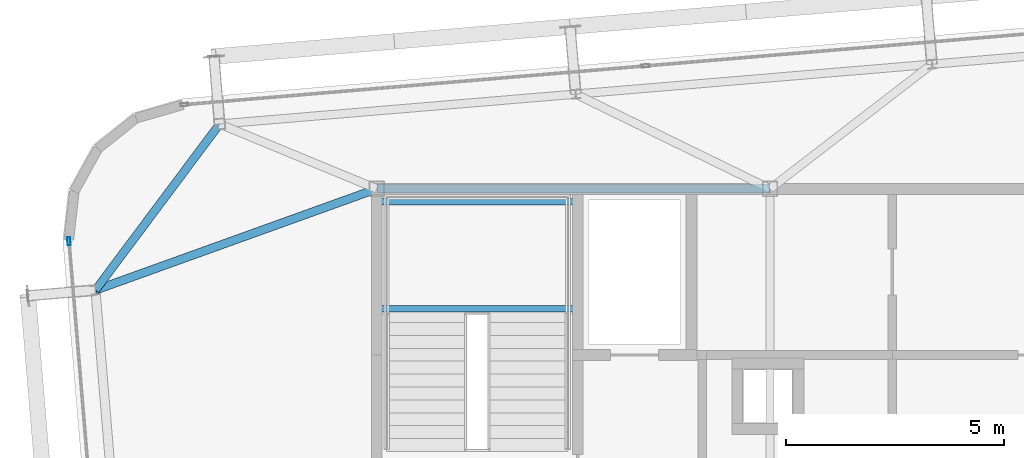
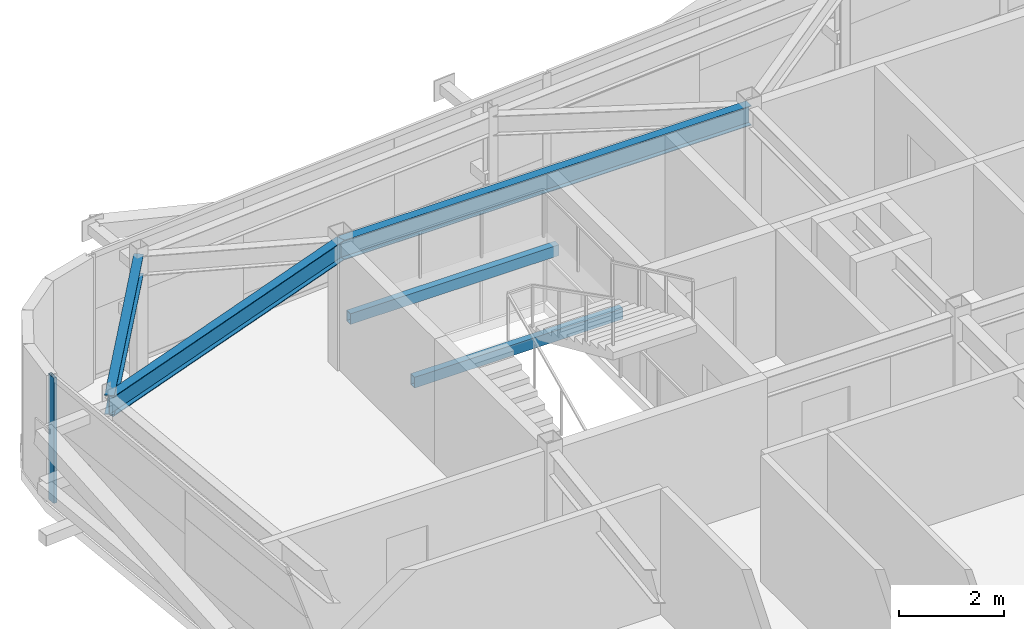
# One storey, part 14 of 37: 5 beams, 1 member, 1 element without a shape of its own.
"""IFC4 building model written with IfcOpenShell, lengths in metres."""

from ifc_helpers import new_model, si_unit, direction, frame, origin, origin_2d, place, context, subcontext, project, spatial, hollow_rectangle, i_section, extrude, source, transform, mapped, material, layer, layer_set, material_profile, profile_set, type_object, element, aggregate, save


model = new_model("IFC4")

# Units and contexts
model_context = context("Model", 3, precision=1e-05, world=origin(), true_north=direction((0.0, 1.0)))
body_context = subcontext(model_context, "Body", "Model", "MODEL_VIEW")
ifc_project = project(units=[si_unit("LENGTHUNIT", "METRE"), si_unit("AREAUNIT", "SQUARE_METRE"), si_unit("VOLUMEUNIT", "CUBIC_METRE"), si_unit("PLANEANGLEUNIT", "RADIAN"), si_unit("MASSUNIT", "GRAM", prefix="KILO")], contexts=[model_context])

# Site, building, storey
site_placement = place(None, origin())
site = spatial("IfcSite", under=ifc_project, at=site_placement, CompositionType="ELEMENT")
building_placement = place(site_placement, origin())
building = spatial("IfcBuilding", under=site, at=building_placement, Name="Taldren Reach Tower", CompositionType="ELEMENT")
storey_placement = place(building_placement, frame((0.0, 0.0, 200.89990234375)))
storey = spatial("IfcBuildingStorey", under=building, at=storey_placement, Name="L61", CompositionType="ELEMENT", Elevation=200.89990234375)

# Beams
ifc_material_1 = material(Name="Steel Gr 350 (350PLUS)", Category="steel")
ifc_material_profile_1 = material_profile(ifc_material_1, i_section(OverallWidth=0.19091796875, OverallDepth=0.4599609375, WebThickness=0.010009765625, FlangeThickness=0.01611328125, at=origin_2d()), Name="460UB82.1")
ifc_profile_set_1 = profile_set([ifc_material_profile_1], Name="Steel Gr 350 (350PLUS)")
beam_type_1 = type_object("IfcBeamType", Name="BM-UB460A", PredefinedType="BEAM", material=ifc_profile_set_1)
shared_shape_1 = source(origin(), body_context, "Body", "SweptSolid", [
    extrude(i_section(OverallWidth=0.19091796875, OverallDepth=0.4599609375, WebThickness=0.010009765625, FlangeThickness=0.01611328125, at=origin_2d()), origin(), (0.0, 0.0, 1.0), 9.0),
])
beam_1_placement = place(storey_placement, frame((19.0, 32.0, 2.7001953125), z_axis=(1.0, 0.0, 0.0), x_axis=(0.0, 1.0, 0.0)))
element("IfcBeam", 1, at=beam_1_placement, inside=storey, type_object=beam_type_1, Name="Core-spine girder L61-SP04", PredefinedType="BEAM", context=body_context, shape_type="MappedRepresentation", body=[
    mapped(shared_shape_1, transform((0.0, 0.0, 0.0), scale=1.0)),
])
ifc_material_profile_2 = material_profile(ifc_material_1, i_section(OverallWidth=0.18994140625, OverallDepth=0.4541015625, WebThickness=0.008544921875, FlangeThickness=0.0126953125, at=origin_2d()), Name="460UB67.1")
ifc_profile_set_2 = profile_set([ifc_material_profile_2], Name="Steel Gr 350 (350PLUS)")
beam_type_2 = type_object("IfcBeamType", Name="SP-UB460B", PredefinedType="SPANDREL", material=ifc_profile_set_2)
shared_shape_2 = source(origin(), body_context, "Body", "SweptSolid", [
    extrude(i_section(OverallWidth=0.18994140625, OverallDepth=0.4541015625, WebThickness=0.008544921875, FlangeThickness=0.0126953125, at=origin_2d()), origin(), (0.0, 0.0, 1.0), 4.74609375),
])
beam_2_placement = place(storey_placement, frame((15.40380859375, 33.483642578125, 2.703125), z_axis=(-0.598764719121, -0.800924972226, 0.0), x_axis=(0.800924972226, -0.598764719121, 0.0)))
element("IfcBeam", 2, at=beam_2_placement, inside=storey, type_object=beam_type_2, Name="Perimeter spandrel B4 N1-W3 L61", PredefinedType="SPANDREL", context=body_context, shape_type="MappedRepresentation", body=[
    mapped(shared_shape_2, transform((0.0, 0.0, 0.0), scale=1.0)),
])
shared_shape_3 = source(origin(), body_context, "Body", "SweptSolid", [
    extrude(i_section(OverallWidth=0.19091796875, OverallDepth=0.4599609375, WebThickness=0.010009765625, FlangeThickness=0.01611328125, at=origin_2d()), origin(), (0.0, 0.0, 1.0), 6.842529296875),
])
beam_3_placement = place(storey_placement, frame((19.0, 32.0, 2.7001953125), z_axis=(-0.940889686088, -0.33871315093, 0.0), x_axis=(0.33871315093, -0.940889686088, 0.0)))
element("IfcBeam", 3, at=beam_3_placement, inside=storey, type_object=beam_type_1, Name="Primary floor girder B4-W3 L61", PredefinedType="BEAM", context=body_context, shape_type="MappedRepresentation", body=[
    mapped(shared_shape_3, transform((0.0, 0.0, 0.0), scale=1.0)),
])

# Curtain wall, member
ifc_material_2 = material(Name="Aluminium and Low-E Glass Unitised System", Category="aluminium")
ifc_layer = layer(ifc_material_2, 0.159912109375)
ifc_layer_set = layer_set([ifc_layer], Name="Aluminium and Low-E Glass Unitised System")
curtain_wall_type = type_object("IfcCurtainWallType", Name="CW-SYS-5", PredefinedType="NOTDEFINED", material=ifc_layer_set)
curtain_wall_placement = place(storey_placement, origin())
curtain_wall = element("IfcCurtainWall", 4, at=curtain_wall_placement, inside=storey, type_object=curtain_wall_type, Name="Unitised curtain wall CW-L61-W", PredefinedType="NOTDEFINED")
ifc_material_3 = material(Name="Anodised Aluminium 6063-T6", Category="aluminium")
ifc_material_profile_3 = material_profile(ifc_material_3, hollow_rectangle(XDim=0.070068359375, YDim=0.179931640625, WallThickness=0.00390625, at=origin_2d()), Name="ALU-180x70x4RHS")
ifc_profile_set_3 = profile_set([ifc_material_profile_3], Name="Anodised Aluminium 6063-T6")
member_type = type_object("IfcMemberType", Name="CW-MUL-180", PredefinedType="MULLION", material=ifc_profile_set_3)
shared_shape_4 = source(origin(), body_context, "Body", "SweptSolid", [
    extrude(hollow_rectangle(XDim=0.070068359375, YDim=0.179931640625, WallThickness=0.00390625, at=origin_2d()), origin(), (0.0, 0.0, 1.0), 2.93017578125),
])
member_placement = place(storey_placement, frame((11.956298828125, 30.800537109375, 0.0), z_axis=(0.0, 0.0, 1.0), x_axis=(0.996492847789, 0.083677979808, 0.0)))
member = element("IfcMember", 5, at=member_placement, type_object=member_type, Name="CW-5 mullion 1", PredefinedType="MULLION", context=body_context, shape_type="MappedRepresentation", body=[
    mapped(shared_shape_4, transform((0.0, 0.0, 0.0), scale=1.0)),
])
aggregate(curtain_wall, [member])

# Beams
ifc_material_4 = material(Name="Steel Gr 350 (C350L0)", Category="steel")
ifc_material_profile_4 = material_profile(ifc_material_4, hollow_rectangle(XDim=0.14990234375, YDim=0.25, WallThickness=0.009033203125, at=origin_2d()), Name="250x150x9.0RHS")
ifc_profile_set_4 = profile_set([ifc_material_profile_4], Name="Steel Gr 350 (C350L0)")
beam_type_3 = type_object("IfcBeamType", Name="LN-RHS250", PredefinedType="LINTEL", material=ifc_profile_set_4)
shared_shape_5 = source(origin(), body_context, "Body", "SweptSolid", [
    extrude(hollow_rectangle(XDim=0.14990234375, YDim=0.25, WallThickness=0.009033203125, at=origin_2d()), origin(), (0.0, 0.0, 1.0), 4.60009765625),
])
for number, where, z_axis, x_axis, name in (
    (6, (19.0, 29.2548828125, 1.27001953125), (1.0, 0.0, 0.0), (0.0, 1.0, 0.0), "Stair half-landing support beam ST1-L61-1"),
    (7, (19.0, 31.699951171875, 1.27001953125), (1.0, 0.0, 0.0), (0.0, 1.0, 0.0), "Stair half-landing support beam ST1-L61-2"),
):
    element("IfcBeam", number, at=place(storey_placement, frame(where, z_axis=z_axis, x_axis=x_axis)), inside=storey, type_object=beam_type_3, Name=name, PredefinedType="LINTEL", context=body_context, shape_type="MappedRepresentation", body=[
        mapped(shared_shape_5, transform((0.0, 0.0, 0.0), scale=1.0)),
    ])

save(model, "model.ifc")
